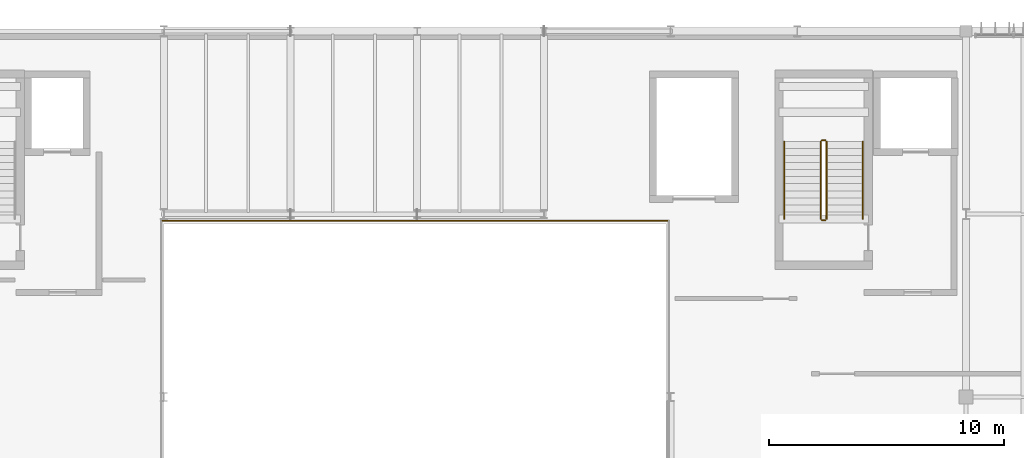
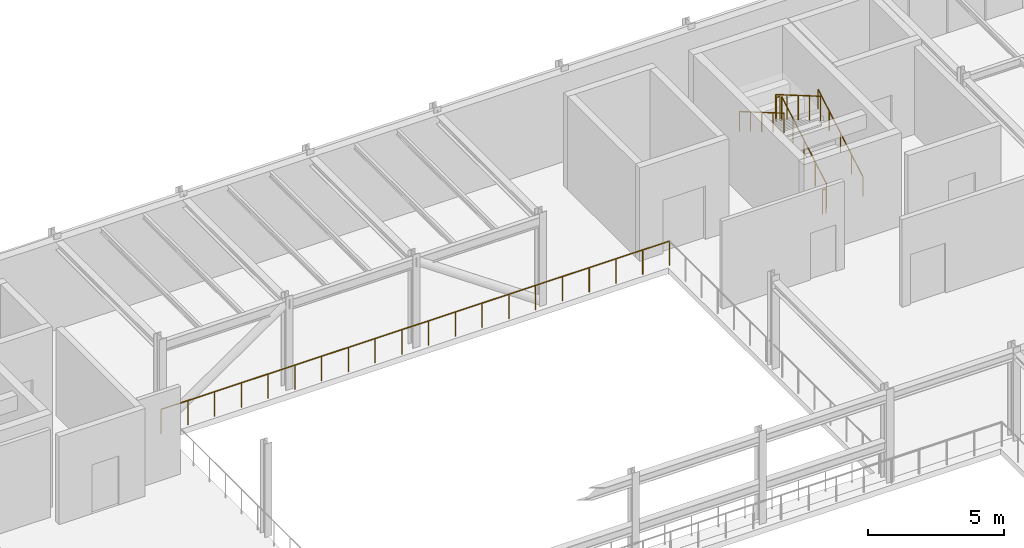
# One storey, part 101 of 104: 7 railings.
"""IFC4 building model written with IfcOpenShell, lengths in metres."""

import ifcopenshell
import ifcopenshell.guid

model = None  # the IFC model being written
_history = None  # IfcOwnerHistory: only IFC2X3 demands one
_inside = {}  # id of a spatial element -> (the spatial element, [elements in it])
_under = {}  # id of a project, library or spatial element -> (it, [spatial elements below it])
_declared = {}  # id of a project -> (the project, [libraries it declares])
_typed = {}  # id of a type object -> (the type object, [elements of that type])
_made_of = {}  # id of a material, layer set ... -> (it, [elements and type objects made of it])


def new_model(schema):
    """Start an empty IFC model of exactly this schema.

    Asked for "IFC4X3", IfcOpenShell would pick the latest addendum, in which some entities
    have other attributes; the version numbers below select the first issue.
    IFC2X3 requires an IfcOwnerHistory on every rooted entity: one is made here for all.
    """
    global model, _history
    if schema == "IFC4X3":
        model = ifcopenshell.file(schema_version=(4, 3, 0, 0))
    else:
        model = ifcopenshell.file(schema=schema)
    _inside.clear()
    _under.clear()
    _declared.clear()
    _typed.clear()
    _made_of.clear()
    _history = None
    if model.schema == "IFC2X3":
        org = make("IfcOrganization", Name="unknown")
        user = make(
            "IfcPersonAndOrganization",
            ThePerson=make("IfcPerson", FamilyName="unknown"),
            TheOrganization=org,
        )
        app = make(
            "IfcApplication",
            ApplicationDeveloper=org,
            Version="unknown",
            ApplicationFullName="unknown",
            ApplicationIdentifier="unknown",
        )
        _history = make(
            "IfcOwnerHistory",
            OwningUser=user,
            OwningApplication=app,
            ChangeAction="ADDED",
            CreationDate=0,
        )
    return model


def make(cls, **values):
    """One entity of the class cls with the attributes given. An attribute that is None is left unset."""
    return model.create_entity(
        cls, **{name: value for name, value in values.items() if value is not None}
    )


def rooted(cls, **values):
    """An entity with a GlobalId (a new one), such as an element, a storey or a relation."""
    return make(cls, GlobalId=ifcopenshell.guid.new(), OwnerHistory=_history, **values)


def si_unit(unit_type, name, prefix=None):
    """IfcSIUnit, for example si_unit("LENGTHUNIT", "METRE", prefix="MILLI")."""
    return make("IfcSIUnit", UnitType=unit_type, Prefix=prefix, Name=name)


def assignment(units):
    """IfcUnitAssignment: the units of a project."""
    return None if units is None else make("IfcUnitAssignment", Units=units)


def point(xyz):
    """IfcCartesianPoint."""
    return None if xyz is None else make("IfcCartesianPoint", Coordinates=xyz)


def direction(xyz):
    """IfcDirection."""
    return None if xyz is None else make("IfcDirection", DirectionRatios=xyz)


def frame(location, z_axis=None, x_axis=None):
    """IfcAxis2Placement3D, a coordinate frame: its origin and axes. An axis left out is left unset."""
    return make(
        "IfcAxis2Placement3D",
        Location=point(location),
        Axis=direction(z_axis),
        RefDirection=direction(x_axis),
    )


def frame_2d(location, x_axis=None):
    """IfcAxis2Placement2D, a coordinate frame in the plane: its origin and x axis."""
    return make(
        "IfcAxis2Placement2D", Location=point(location), RefDirection=direction(x_axis)
    )


def origin():
    """The frame at (0, 0, 0) with its axes left unset."""
    return frame((0.0, 0.0, 0.0))


def origin_2d():
    """The frame at (0, 0) in the plane with its x axis left unset."""
    return frame_2d((0.0, 0.0))


def place(relative_to, where):
    """IfcLocalPlacement: puts the frame where relative to a parent placement (None: the world)."""
    return make(
        "IfcLocalPlacement", PlacementRelTo=relative_to, RelativePlacement=where
    )


def context(
    kind, dimensions, precision=None, world=None, true_north=None, identifier=None
):
    """IfcGeometricRepresentationContext, for example the 3D "Model" context."""
    return make(
        "IfcGeometricRepresentationContext",
        ContextIdentifier=identifier,
        ContextType=kind,
        CoordinateSpaceDimension=dimensions,
        Precision=precision,
        WorldCoordinateSystem=world,
        TrueNorth=true_north,
    )


def subcontext(parent, identifier, kind, view, scale=None):
    """IfcGeometricRepresentationSubContext, for example "Body" below "Model"."""
    return make(
        "IfcGeometricRepresentationSubContext",
        ContextIdentifier=identifier,
        ContextType=kind,
        ParentContext=parent,
        TargetScale=scale,
        TargetView=view,
    )


def project(units=None, contexts=None):
    """IfcProject with its units and contexts."""
    return rooted(
        "IfcProject",
        Name="project",
        RepresentationContexts=contexts,
        UnitsInContext=assignment(units),
    )


def spatial(cls, under=None, at=None, **own):
    """A site, building, storey or space (cls), placed at a placement, below another one or the project."""
    s = rooted(cls, ObjectPlacement=at, **own)
    if under is not None:
        _under.setdefault(under.id(), (under, []))[1].append(s)
    return s


def profile(cls, at=None, kind="AREA", **sizes):
    """A parametric profile (cls). Its sizes go by their IFC names, for example OverallWidth=200.0."""
    return make(cls, ProfileType=kind, Position=at, **sizes)


def circle(**sizes):
    """IfcCircleProfileDef."""
    return profile("IfcCircleProfileDef", **sizes)


def extrude(swept, where, along, depth):
    """IfcExtrudedAreaSolid: the profile swept, set in the frame where, extruded along a direction by depth."""
    return make(
        "IfcExtrudedAreaSolid",
        SweptArea=swept,
        Position=where,
        ExtrudedDirection=direction(along),
        Depth=depth,
    )


def shape(context_of_items, identifier, shape_type, items):
    """IfcShapeRepresentation: the items that make up one representation, for example the "Body"."""
    return make(
        "IfcShapeRepresentation",
        ContextOfItems=context_of_items,
        RepresentationIdentifier=identifier,
        RepresentationType=shape_type,
        Items=items,
    )


def material(Name=None, Category=None):
    """IfcMaterial."""
    return make("IfcMaterial", Name=Name, Category=Category)


def material_profile(
    of_material, cross_section, Name=None, Category=None, Priority=None
):
    """IfcMaterialProfile: a cross section and its material."""
    return make(
        "IfcMaterialProfile",
        Name=Name,
        Material=of_material,
        Profile=cross_section,
        Priority=Priority,
        Category=Category,
    )


def profile_set(profiles, Name=None, composite=None):
    """IfcMaterialProfileSet."""
    return make(
        "IfcMaterialProfileSet",
        Name=Name,
        MaterialProfiles=profiles,
        CompositeProfile=composite,
    )


def made_of(thing, what):
    """Note that an element or type object is made of a material, layer set ...; save() writes the relation."""
    if what is not None:
        _made_of.setdefault(what.id(), (what, []))[1].append(thing)
    return thing


def type_object(cls, material=None, **own):
    """A type object (cls), such as IfcWallType, which elements share."""
    return made_of(rooted(cls, **own), material)


def element(
    cls,
    number,
    at=None,
    inside=None,
    cuts=None,
    type_object=None,
    material=None,
    context=None,
    identifier="Body",
    shape_type=None,
    held_by="IfcProductDefinitionShape",
    body=None,
    shapes=None,
    **own,
):
    """One element of the class cls, such as IfcWall. Its Tag is "e" and its number.

    at: its placement. inside: the storey or other place that contains it. cuts: it is an
    opening in that element (IfcRelVoidsElement). A single representation is given by context,
    identifier, shape_type and body (its items); several are given by shapes. held_by: the class
    of the entity that holds the representations. save() writes the other relations.
    """
    e = rooted(cls, Tag="e%d" % number, ObjectPlacement=at, **own)
    if body is not None:
        shapes = [shape(context, identifier, shape_type, body)]
    if shapes is not None:
        e.Representation = make(held_by, Representations=shapes)
    if inside is not None:
        _inside.setdefault(inside.id(), (inside, []))[1].append(e)
    if cuts is not None:
        rooted(
            "IfcRelVoidsElement", RelatingBuildingElement=cuts, RelatedOpeningElement=e
        )
    if type_object is not None:
        _typed.setdefault(type_object.id(), (type_object, []))[1].append(e)
    return made_of(e, material)


def aggregate(whole, parts):
    """IfcRelAggregates: a whole, such as a stair, and the parts it consists of."""
    return rooted("IfcRelAggregates", RelatingObject=whole, RelatedObjects=parts)


def save(model, path):
    """Write the relations noted so far, then the file.

    IfcRelAggregates (storeys below a building ...), IfcRelContainedInSpatialStructure (elements
    in a storey), IfcRelDefinesByType, IfcRelAssociatesMaterial and IfcRelDeclares: one each for
    every whole, place, type object, material and project.
    """
    for whole, parts in _under.values():
        aggregate(whole, parts)
    for where, things in _inside.values():
        rooted(
            "IfcRelContainedInSpatialStructure",
            RelatedElements=things,
            RelatingStructure=where,
        )
    for kind, things in _typed.values():
        rooted("IfcRelDefinesByType", RelatedObjects=things, RelatingType=kind)
    for what, things in _made_of.values():
        rooted("IfcRelAssociatesMaterial", RelatedObjects=things, RelatingMaterial=what)
    for by, libraries in _declared.values():
        rooted("IfcRelDeclares", RelatingContext=by, RelatedDefinitions=libraries)
    model.write(path)


model = new_model("IFC4")

# Units and contexts
model_context = context("Model", 3, precision=1e-05, world=origin(), true_north=direction((0.0, 1.0)))
body_context = subcontext(model_context, "Body", "Model", "MODEL_VIEW")
ifc_project = project(units=[si_unit("LENGTHUNIT", "METRE"), si_unit("AREAUNIT", "SQUARE_METRE"), si_unit("VOLUMEUNIT", "CUBIC_METRE"), si_unit("PLANEANGLEUNIT", "RADIAN"), si_unit("MASSUNIT", "GRAM", prefix="KILO")], contexts=[model_context])

# Site, building, storey
site_placement = place(None, origin())
site = spatial("IfcSite", under=ifc_project, at=site_placement, CompositionType="ELEMENT")
building_placement = place(site_placement, origin())
building = spatial("IfcBuilding", under=site, at=building_placement, Name="Tazoul Stagehouse", CompositionType="ELEMENT")
storey_placement = place(building_placement, frame((0.0, 0.0, 9.0)))
storey = spatial("IfcBuildingStorey", under=building, at=storey_placement, Name="L02", CompositionType="ELEMENT", Elevation=9.0)

# Railings
ifc_material = material(Name="Brushed Stainless Steel 316L", Category="steel")
ifc_material_profile_1 = material_profile(ifc_material, circle(Radius=0.02392578125, at=origin_2d()), Name="SS RAIL D48")
ifc_profile_set_1 = profile_set([ifc_material_profile_1], Name="Brushed Stainless Steel 316L")
railing_type_1 = type_object("IfcRailingType", Name="Architectural Guardrail H1120", PredefinedType="GUARDRAIL", material=ifc_profile_set_1)
railing_1_placement = place(storey_placement, frame((96.64990234375, 103.800048828125, 0.175048828125)))
element("IfcRailing", 1, at=railing_1_placement, inside=storey, type_object=railing_type_1, Name="L02 ST-01 stair guard 1", PredefinedType="GUARDRAIL", context=body_context, shape_type="SweptSolid", body=[
    extrude(circle(Radius=0.02392578125, at=origin_2d()), frame((0.0, 0.0, 1.09619140625), z_axis=(0.0, 0.863776583165, 0.503874998761), x_axis=(-1.0, 0.0, 0.0)), (0.0, 0.0, 1.0), 3.820556640625),
    extrude(circle(Radius=0.02099609375, at=origin_2d()), origin(), (0.0, 0.0, 1.0), 1.072021484375),
    extrude(circle(Radius=0.02099609375, at=origin_2d()), frame((0.0, 0.824951171875, 0.481201171875)), (0.0, 0.0, 1.0), 1.072021484375),
    extrude(circle(Radius=0.02099609375, at=origin_2d()), frame((0.0, 1.64990234375, 0.96240234375)), (0.0, 0.0, 1.0), 1.072021484375),
    extrude(circle(Radius=0.02099609375, at=origin_2d()), frame((0.0, 2.47509765625, 1.44384765625)), (0.0, 0.0, 1.0), 1.072021484375),
    extrude(circle(Radius=0.02099609375, at=origin_2d()), frame((0.0, 3.300048828125, 1.925048828125)), (0.0, 0.0, 1.0), 1.072021484375),
])
railing_2_placement = place(storey_placement, frame((96.60009765625, 107.14990234375, 2.10009765625)))
element("IfcRailing", 2, at=railing_2_placement, inside=storey, type_object=railing_type_1, Name="L02 ST-01 stair guard 2", PredefinedType="GUARDRAIL", context=body_context, shape_type="SweptSolid", body=[
    extrude(circle(Radius=0.02392578125, at=origin_2d()), frame((0.0, 0.0, 1.09619140625), z_axis=(-1.0, 0.0, 0.0), x_axis=(0.0, -1.0, 0.0)), (0.0, 0.0, 1.0), 0.150146484375),
    extrude(circle(Radius=0.02099609375, at=origin_2d()), origin(), (0.0, 0.0, 1.0), 1.072021484375),
    extrude(circle(Radius=0.02099609375, at=origin_2d()), frame((-0.150146484375, 0.0, 0.0)), (0.0, 0.0, 1.0), 1.072021484375),
])
railing_3_placement = place(storey_placement, frame((96.39990234375, 107.10009765625, 2.27490234375)))
element("IfcRailing", 3, at=railing_3_placement, inside=storey, type_object=railing_type_1, Name="L02 ST-01 stair guard 3", PredefinedType="GUARDRAIL", context=body_context, shape_type="SweptSolid", body=[
    extrude(circle(Radius=0.02392578125, at=origin_2d()), frame((0.0, 0.0, 1.09619140625), z_axis=(0.0, -0.863776583165, 0.503874998761), x_axis=(1.0, 0.0, 0.0)), (0.0, 0.0, 1.0), 3.820556640625),
    extrude(circle(Radius=0.02099609375, at=origin_2d()), origin(), (0.0, 0.0, 1.0), 1.072021484375),
    extrude(circle(Radius=0.02099609375, at=origin_2d()), frame((0.0, -0.824951171875, 0.481201171875)), (0.0, 0.0, 1.0), 1.072021484375),
    extrude(circle(Radius=0.02099609375, at=origin_2d()), frame((0.0, -1.64990234375, 0.96240234375)), (0.0, 0.0, 1.0), 1.072021484375),
    extrude(circle(Radius=0.02099609375, at=origin_2d()), frame((0.0, -2.47509765625, 1.44384765625)), (0.0, 0.0, 1.0), 1.072021484375),
    extrude(circle(Radius=0.02099609375, at=origin_2d()), frame((0.0, -3.300048828125, 1.925048828125)), (0.0, 0.0, 1.0), 1.072021484375),
])
railing_4_placement = place(storey_placement, frame((96.60009765625, 103.75, 0.0)))
element("IfcRailing", 4, at=railing_4_placement, inside=storey, type_object=railing_type_1, Name="L02 ST-01 stair guard 4", PredefinedType="GUARDRAIL", context=body_context, shape_type="SweptSolid", body=[
    extrude(circle(Radius=0.02392578125, at=origin_2d()), frame((0.0, 0.0, 1.09619140625), z_axis=(-1.0, 0.0, 0.0), x_axis=(0.0, -1.0, 0.0)), (0.0, 0.0, 1.0), 0.150146484375),
    extrude(circle(Radius=0.02099609375, at=origin_2d()), origin(), (0.0, 0.0, 1.0), 1.072021484375),
    extrude(circle(Radius=0.02099609375, at=origin_2d()), frame((-0.150146484375, 0.0, 0.0)), (0.0, 0.0, 1.0), 1.072021484375),
])
railing_5_placement = place(storey_placement, frame((89.919921875, 103.719970703125, 0.0)))
element("IfcRailing", 5, at=railing_5_placement, inside=storey, type_object=railing_type_1, Name="L02 Open-Edge Guard GRD-01 (GRD-VOID2-N1)", PredefinedType="GUARDRAIL", context=body_context, shape_type="SweptSolid", body=[
    extrude(circle(Radius=0.02392578125, at=origin_2d()), frame((0.0, 0.0, 1.09619140625), z_axis=(-1.0, 0.0, 0.0), x_axis=(0.0, -1.0, 0.0)), (0.0, 0.0, 1.0), 21.639892578125),
    extrude(circle(Radius=0.02099609375, at=origin_2d()), origin(), (0.0, 0.0, 1.0), 1.072021484375),
    extrude(circle(Radius=0.02099609375, at=origin_2d()), frame((-1.138916015625, 0.0, 0.0)), (0.0, 0.0, 1.0), 1.072021484375),
    extrude(circle(Radius=0.02099609375, at=origin_2d()), frame((-2.27783203125, 0.0, 0.0)), (0.0, 0.0, 1.0), 1.072021484375),
    extrude(circle(Radius=0.02099609375, at=origin_2d()), frame((-3.416748046875, 0.0, 0.0)), (0.0, 0.0, 1.0), 1.072021484375),
    extrude(circle(Radius=0.02099609375, at=origin_2d()), frame((-4.5556640625, 0.0, 0.0)), (0.0, 0.0, 1.0), 1.072021484375),
    extrude(circle(Radius=0.02099609375, at=origin_2d()), frame((-5.69482421875, 0.0, 0.0)), (0.0, 0.0, 1.0), 1.072021484375),
    extrude(circle(Radius=0.02099609375, at=origin_2d()), frame((-6.833740234375, 0.0, 0.0)), (0.0, 0.0, 1.0), 1.072021484375),
    extrude(circle(Radius=0.02099609375, at=origin_2d()), frame((-7.97265625, 0.0, 0.0)), (0.0, 0.0, 1.0), 1.072021484375),
    extrude(circle(Radius=0.02099609375, at=origin_2d()), frame((-9.111572265625, 0.0, 0.0)), (0.0, 0.0, 1.0), 1.072021484375),
    extrude(circle(Radius=0.02099609375, at=origin_2d()), frame((-10.25048828125, 0.0, 0.0)), (0.0, 0.0, 1.0), 1.072021484375),
    extrude(circle(Radius=0.02099609375, at=origin_2d()), frame((-11.389404296875, 0.0, 0.0)), (0.0, 0.0, 1.0), 1.072021484375),
    extrude(circle(Radius=0.02099609375, at=origin_2d()), frame((-12.5283203125, 0.0, 0.0)), (0.0, 0.0, 1.0), 1.072021484375),
    extrude(circle(Radius=0.02099609375, at=origin_2d()), frame((-13.667236328125, 0.0, 0.0)), (0.0, 0.0, 1.0), 1.072021484375),
    extrude(circle(Radius=0.02099609375, at=origin_2d()), frame((-14.80615234375, 0.0, 0.0)), (0.0, 0.0, 1.0), 1.072021484375),
    extrude(circle(Radius=0.02099609375, at=origin_2d()), frame((-15.945068359375, 0.0, 0.0)), (0.0, 0.0, 1.0), 1.072021484375),
    extrude(circle(Radius=0.02099609375, at=origin_2d()), frame((-17.084228515625, 0.0, 0.0)), (0.0, 0.0, 1.0), 1.072021484375),
    extrude(circle(Radius=0.02099609375, at=origin_2d()), frame((-18.22314453125, 0.0, 0.0)), (0.0, 0.0, 1.0), 1.072021484375),
    extrude(circle(Radius=0.02099609375, at=origin_2d()), frame((-19.362060546875, 0.0, 0.0)), (0.0, 0.0, 1.0), 1.072021484375),
    extrude(circle(Radius=0.02099609375, at=origin_2d()), frame((-20.5009765625, 0.0, 0.0)), (0.0, 0.0, 1.0), 1.072021484375),
    extrude(circle(Radius=0.02099609375, at=origin_2d()), frame((-21.639892578125, 0.0, 0.0)), (0.0, 0.0, 1.0), 1.072021484375),
])
ifc_material_profile_2 = material_profile(ifc_material, circle(Radius=0.02099609375, at=origin_2d()), Name="SS HANDRAIL D42")
ifc_profile_set_2 = profile_set([ifc_material_profile_2], Name="Brushed Stainless Steel 316L")
railing_type_2 = type_object("IfcRailingType", Name="Continuous Stair Handrail H900", PredefinedType="HANDRAIL", material=ifc_profile_set_2)
railing_6_placement = place(storey_placement, frame((98.199951171875, 103.800048828125, 0.175048828125)))
element("IfcRailing", 6, at=railing_6_placement, inside=storey, type_object=railing_type_2, Name="L02 ST-01 stair handrail 1", PredefinedType="HANDRAIL", context=body_context, shape_type="SweptSolid", body=[
    extrude(circle(Radius=0.02392578125, at=origin_2d()), frame((0.0, 0.0, 0.8759765625), z_axis=(0.0, 0.863776583165, 0.503874998761), x_axis=(-1.0, 0.0, 0.0)), (0.0, 0.0, 1.0), 3.820556640625),
    extrude(circle(Radius=0.02099609375, at=origin_2d()), origin(), (0.0, 0.0, 1.0), 0.851806640625),
    extrude(circle(Radius=0.02099609375, at=origin_2d()), frame((0.0, 0.824951171875, 0.481201171875)), (0.0, 0.0, 1.0), 0.851806640625),
    extrude(circle(Radius=0.02099609375, at=origin_2d()), frame((0.0, 1.64990234375, 0.96240234375)), (0.0, 0.0, 1.0), 0.851806640625),
    extrude(circle(Radius=0.02099609375, at=origin_2d()), frame((0.0, 2.47509765625, 1.44384765625)), (0.0, 0.0, 1.0), 0.851806640625),
    extrude(circle(Radius=0.02099609375, at=origin_2d()), frame((0.0, 3.300048828125, 1.925048828125)), (0.0, 0.0, 1.0), 0.851806640625),
])
railing_7_placement = place(storey_placement, frame((94.85009765625, 107.10009765625, 2.27490234375)))
element("IfcRailing", 7, at=railing_7_placement, inside=storey, type_object=railing_type_2, Name="L02 ST-01 stair handrail 2", PredefinedType="HANDRAIL", context=body_context, shape_type="SweptSolid", body=[
    extrude(circle(Radius=0.02392578125, at=origin_2d()), frame((0.0, 0.0, 0.8759765625), z_axis=(0.0, -0.863776583165, 0.503874998761), x_axis=(1.0, 0.0, 0.0)), (0.0, 0.0, 1.0), 3.820556640625),
    extrude(circle(Radius=0.02099609375, at=origin_2d()), origin(), (0.0, 0.0, 1.0), 0.851806640625),
    extrude(circle(Radius=0.02099609375, at=origin_2d()), frame((0.0, -0.824951171875, 0.481201171875)), (0.0, 0.0, 1.0), 0.851806640625),
    extrude(circle(Radius=0.02099609375, at=origin_2d()), frame((0.0, -1.64990234375, 0.96240234375)), (0.0, 0.0, 1.0), 0.851806640625),
    extrude(circle(Radius=0.02099609375, at=origin_2d()), frame((0.0, -2.47509765625, 1.44384765625)), (0.0, 0.0, 1.0), 0.851806640625),
    extrude(circle(Radius=0.02099609375, at=origin_2d()), frame((0.0, -3.300048828125, 1.925048828125)), (0.0, 0.0, 1.0), 0.851806640625),
])

save(model, "model.ifc")
